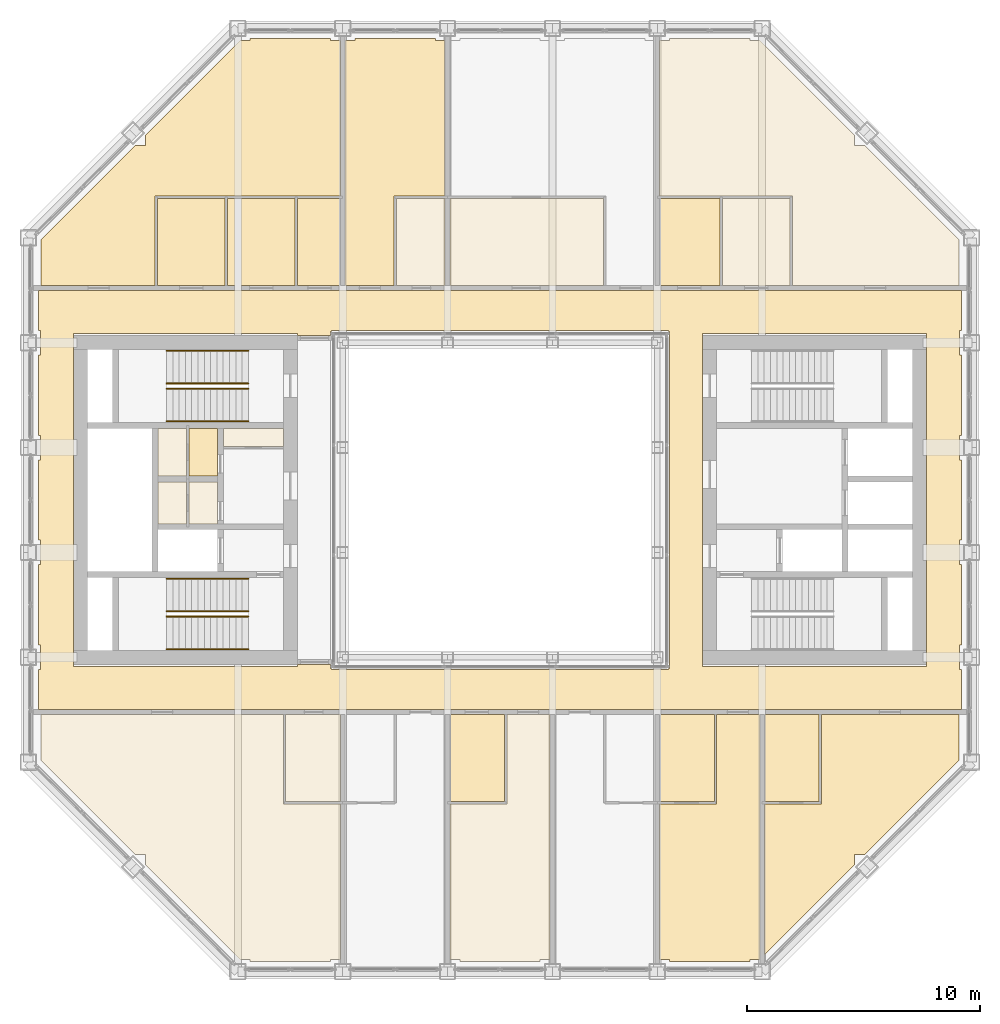
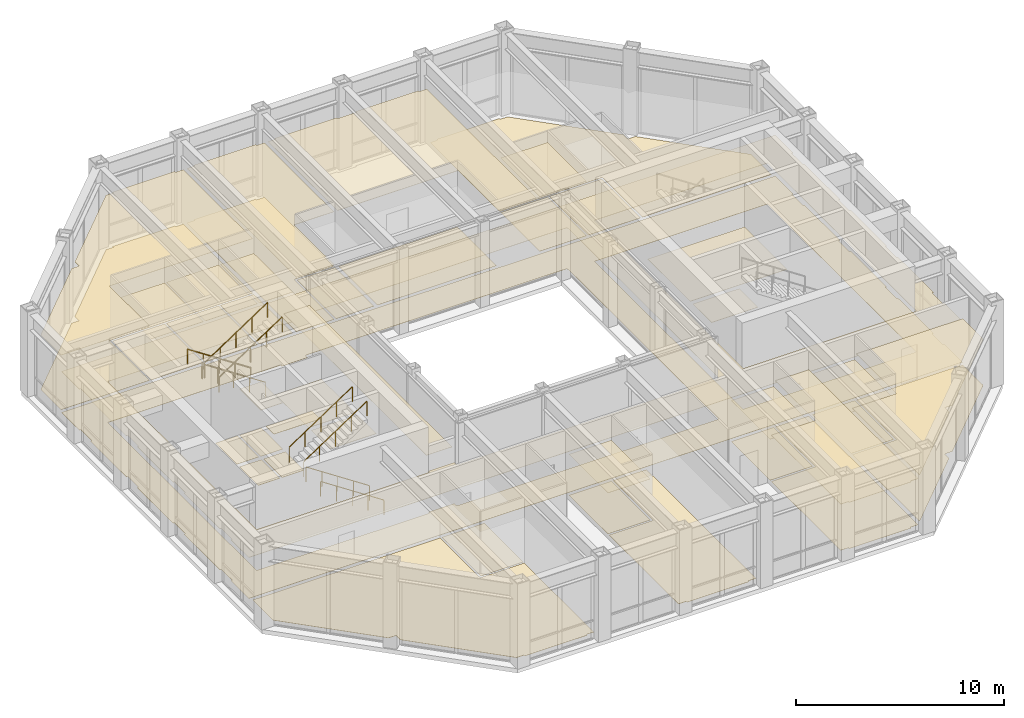
# One storey, part 14 of 15: 8 railings, 7 coverings.
"""IFC4 building model written with IfcOpenShell, lengths in metres."""

from ifc_helpers import new_model, si_unit, direction, frame, origin, origin_2d, place, context, subcontext, project, spatial, line, indexed_curve, circle, outline, extrude, material, layer, layer_set, type_object, element, save


model = new_model("IFC4")

# Units and contexts
model_context = context("Model", 3, precision=1e-05, world=origin(), true_north=direction((0.0, 1.0)))
body_context = subcontext(model_context, "Body", "Model", "MODEL_VIEW")
ifc_project = project(units=[si_unit("LENGTHUNIT", "METRE"), si_unit("AREAUNIT", "SQUARE_METRE"), si_unit("VOLUMEUNIT", "CUBIC_METRE"), si_unit("PLANEANGLEUNIT", "RADIAN"), si_unit("MASSUNIT", "GRAM", prefix="KILO")], contexts=[model_context])

# Site, building, storey
site_placement = place(None, origin())
site = spatial("IfcSite", under=ifc_project, at=site_placement, CompositionType="ELEMENT")
building_placement = place(site_placement, origin())
building = spatial("IfcBuilding", under=site, at=building_placement, Name="Msasa Ring Tower", CompositionType="ELEMENT")
storey_placement = place(building_placement, frame((0.0, 0.0, 195.800048828125)))
storey = spatial("IfcBuildingStorey", under=building, at=storey_placement, Name="L51", CompositionType="ELEMENT", Elevation=195.800048828125)

# Coverings
ifc_material_1 = material(Name="Gypsum plasterboard on a steel suspension grid", Category="steel")
ifc_layer_1 = layer(ifc_material_1, 0.014892578125)
ifc_layer_set_1 = layer_set([ifc_layer_1], Name="C1 SUSPENDED PLASTERBOARD CEILING 15")
covering_type_1 = type_object("IfcCoveringType", Name="C1 SUSPENDED PLASTERBOARD CEILING 15", PredefinedType="CEILING", material=ifc_layer_set_1)
covering_1_placement = place(storey_placement, frame((0.0, 0.0, 2.39990234375)))
element("IfcCovering", 1, at=covering_1_placement, inside=storey, type_object=covering_type_1, Name="Suspended Plasterboard Ceiling 15 circulation L51", PredefinedType="CEILING", context=body_context, shape_type="SweptSolid", body=[
    extrude(outline(indexed_curve([(19.799560546875, 7.275390625), (19.724609375, 7.275390625), (19.724609375, 6.224609375), (19.799560546875, 6.224609375), (19.799560546875, 2.775390625), (19.724609375, 2.775390625), (19.724609375, 1.724609375), (19.799560546875, 1.724609375), (19.799560546875, -1.724609375), (19.724609375, -1.724609375), (19.724609375, -2.775390625), (19.799560546875, -2.775390625), (19.799560546875, -6.224609375), (19.724609375, -6.224609375), (19.724609375, -7.275390625), (19.799560546875, -7.275390625), (19.799560546875, -8.99951171875), (-19.799560546875, -8.99951171875), (-19.799560546875, -7.275390625), (-19.724609375, -7.275390625), (-19.724609375, -6.224609375), (-19.799560546875, -6.224609375), (-19.799560546875, -2.775390625), (-19.724609375, -2.775390625), (-19.724609375, -1.724609375), (-19.799560546875, -1.724609375), (-19.799560546875, 1.724609375), (-19.724609375, 1.724609375), (-19.724609375, 2.775390625), (-19.799560546875, 2.775390625), (-19.799560546875, 6.224609375), (-19.724609375, 6.224609375), (-19.724609375, 7.275390625), (-19.799560546875, 7.275390625), (-19.799560546875, 8.99951171875), (19.799560546875, 8.99951171875)], segments=[line(1, 2, 3, 4, 5, 6, 7, 8, 9, 10, 11, 12, 13, 14, 15, 16, 17, 18, 19, 20, 21, 22, 23, 24, 25, 26, 27, 28, 29, 30, 31, 32, 33, 34, 35, 36, 1)], self_intersect=False), holes=[indexed_curve([(18.300537109375, -7.150390625), (18.300537109375, 7.150390625), (8.699462890625, 7.150390625), (8.699462890625, -7.150390625)], segments=[line(1, 2, 3, 4, 1)], self_intersect=False), indexed_curve([(-8.699462890625, 7.150390625), (-18.300537109375, 7.150390625), (-18.300537109375, -7.150390625), (-8.699462890625, -7.150390625), (-8.699462890625, -7.050537109375), (-7.280029296875, -7.050537109375), (-7.280517578125, -7.23046875), (-7.22998046875, -7.23046875), (-7.22998046875, -7.280029296875), (7.22998046875, -7.280029296875), (7.22998046875, -7.23046875), (7.280517578125, -7.23046875), (7.280517578125, 7.23046875), (7.22998046875, 7.23046875), (7.22998046875, 7.280029296875), (-7.22998046875, 7.280029296875), (-7.22998046875, 7.23046875), (-7.280517578125, 7.23046875), (-7.280029296875, 7.050537109375), (-8.699462890625, 7.050537109375)], segments=[line(1, 2, 3, 4, 5, 6, 7, 8, 9, 10, 11, 12, 13, 14, 15, 16, 17, 18, 19, 20, 1)], self_intersect=False)]), origin(), (0.0, 0.0, 1.0), 0.01513671875),
    extrude(outline(indexed_curve([(-9.300537109375, -3.074462890625), (-11.87451171875, -3.074462890625), (-11.87451171875, -1.275390625), (-9.300537109375, -1.275390625)], segments=[line(1, 2, 3, 4, 1)], self_intersect=False)), origin(), (0.0, 0.0, 1.0), 0.01513671875),
    extrude(outline(indexed_curve([(-11.87451171875, -1.0244140625), (-11.87451171875, 2.194580078125), (-9.300537109375, 2.194580078125), (-9.300537109375, -1.0244140625)], segments=[line(1, 2, 3, 4, 1)], self_intersect=False)), origin(), (0.0, 0.0, 1.0), 0.01513671875),
    extrude(outline(indexed_curve([(11.87451171875, -3.074462890625), (9.300537109375, -3.074462890625), (9.300537109375, -1.275390625), (11.87451171875, -1.275390625)], segments=[line(1, 2, 3, 4, 1)], self_intersect=False)), origin(), (0.0, 0.0, 1.0), 0.01513671875),
    extrude(outline(indexed_curve([(9.300537109375, -1.0244140625), (9.300537109375, 3.074462890625), (14.674560546875, 3.074462890625), (14.674560546875, -1.0244140625)], segments=[line(1, 2, 3, 4, 1)], self_intersect=False)), origin(), (0.0, 0.0, 1.0), 0.01513671875),
])
covering_2_placement = place(storey_placement, frame((0.0, 0.0, 3.199951171875)))
element("IfcCovering", 2, at=covering_2_placement, inside=storey, type_object=covering_type_1, Name="Suspended Plasterboard Ceiling 15 public rooms L51", PredefinedType="CEILING", context=body_context, shape_type="SweptSolid", body=[
    extrude(outline(indexed_curve([(-14.800537109375, 13.050537109375), (-14.800537109375, 9.200439453125), (-19.699462890625, 9.200439453125), (-19.699462890625, 11.163330078125), (-15.638427734375, 15.224609375), (-15.224609375, 15.224609375), (-15.224609375, 15.638427734375), (-11.138427734375, 19.724609375), (-10.724609375, 19.724609375), (-10.724609375, 19.799560546875), (-7.275390625, 19.799560546875), (-7.275390625, 19.724609375), (-6.8505859375, 19.724609375), (-6.8505859375, 13.050537109375)], segments=[line(1, 2, 3, 4, 5, 6, 7, 8, 9, 10, 11, 12, 13, 14, 1)], self_intersect=False)), origin(), (0.0, 0.0, 1.0), 0.014892578125),
    extrude(outline(indexed_curve([(-8.699462890625, -6.849609375), (-8.699462890625, 6.849609375), (-7.280029296875, 6.849609375), (-7.280029296875, -6.849609375)], segments=[line(1, 2, 3, 4, 1)], self_intersect=False)), origin(), (0.0, 0.0, 1.0), 0.014892578125),
    extrude(outline(indexed_curve([(-4.550537109375, 13.050537109375), (-4.550537109375, 9.200439453125), (-6.6494140625, 9.200439453125), (-6.6494140625, 19.724609375), (-6.224609375, 19.724609375), (-6.224609375, 19.799560546875), (-2.775390625, 19.799560546875), (-2.775390625, 19.724609375), (-2.3505859375, 19.724609375), (-2.3505859375, 13.050537109375)], segments=[line(1, 2, 3, 4, 5, 6, 7, 8, 9, 10, 1)], self_intersect=False)), origin(), (0.0, 0.0, 1.0), 0.014892578125),
    extrude(outline(indexed_curve([(-2.1494140625, 19.724609375), (-1.724609375, 19.724609375), (-1.724609375, 19.799560546875), (1.724609375, 19.799560546875), (1.724609375, 19.724609375), (2.775390625, 19.724609375), (2.775390625, 19.799560546875), (6.224609375, 19.799560546875), (6.224609375, 19.724609375), (6.6494140625, 19.724609375), (6.6494140625, 9.200439453125), (4.550537109375, 9.200439453125), (4.550537109375, 13.050537109375), (-2.1494140625, 13.050537109375)], segments=[line(1, 2, 3, 4, 5, 6, 7, 8, 9, 10, 11, 12, 13, 14, 1)], self_intersect=False)), origin(), (0.0, 0.0, 1.0), 0.014892578125),
    extrude(outline(indexed_curve([(9.449462890625, 9.200439453125), (6.8505859375, 9.200439453125), (6.8505859375, 12.949462890625), (9.449462890625, 12.949462890625)], segments=[line(1, 2, 3, 4, 1)], self_intersect=False)), origin(), (0.0, 0.0, 1.0), 0.014892578125),
])
ifc_material_2 = material(Name="Moisture-resistant gypsum plasterboard on a steel suspension grid", Category="steel")
ifc_layer_2 = layer(ifc_material_2, 0.014892578125)
ifc_layer_set_2 = layer_set([ifc_layer_2], Name="C2 MOISTURE-RESISTANT PLASTERBOARD CEILING 15")
covering_type_2 = type_object("IfcCoveringType", Name="C2 MOISTURE-RESISTANT PLASTERBOARD CEILING 15", PredefinedType="CEILING", material=ifc_layer_set_2)
covering_3_placement = place(storey_placement, frame((0.0, 0.0, 2.39990234375)))
element("IfcCovering", 3, at=covering_3_placement, inside=storey, type_object=covering_type_2, Name="Moisture-Resistant Plasterboard Ceiling 15 L51", PredefinedType="CEILING", context=body_context, shape_type="SweptSolid", body=[
    extrude(outline(indexed_curve([(-11.800537109375, 9.200439453125), (-14.699462890625, 9.200439453125), (-14.699462890625, 12.949462890625), (-11.800537109375, 12.949462890625)], segments=[line(1, 2, 3, 4, 1)], self_intersect=False)), origin(), (0.0, 0.0, 1.0), 0.01513671875),
    extrude(outline(indexed_curve([(-11.699462890625, 9.200439453125), (-11.699462890625, 12.949462890625), (-8.800537109375, 12.949462890625), (-8.800537109375, 9.200439453125)], segments=[line(1, 2, 3, 4, 1)], self_intersect=False)), origin(), (0.0, 0.0, 1.0), 0.01513671875),
    extrude(outline(indexed_curve([(-8.699462890625, 9.200439453125), (-8.699462890625, 12.949462890625), (-6.8505859375, 12.949462890625), (-6.8505859375, 9.200439453125)], segments=[line(1, 2, 3, 4, 1)], self_intersect=False)), origin(), (0.0, 0.0, 1.0), 0.01513671875),
    extrude(outline(indexed_curve([(0.199462890625, -12.949462890625), (-2.1494140625, -12.949462890625), (-2.1494140625, -9.200439453125), (0.199462890625, -9.200439453125)], segments=[line(1, 2, 3, 4, 1)], self_intersect=False)), origin(), (0.0, 0.0, 1.0), 0.01513671875),
    extrude(outline(indexed_curve([(6.8505859375, -12.949462890625), (6.8505859375, -9.200439453125), (9.199462890625, -9.200439453125), (9.199462890625, -12.949462890625)], segments=[line(1, 2, 3, 4, 1)], self_intersect=False)), origin(), (0.0, 0.0, 1.0), 0.01513671875),
    extrude(outline(indexed_curve([(11.3505859375, -12.949462890625), (11.3505859375, -9.200439453125), (13.699462890625, -9.200439453125), (13.699462890625, -12.949462890625)], segments=[line(1, 2, 3, 4, 1)], self_intersect=False)), origin(), (0.0, 0.0, 1.0), 0.01513671875),
])
ifc_material_3 = material(Name="Mineral fibre ceiling tiles on an exposed steel grid", Category="steel")
ifc_layer_3 = layer(ifc_material_3, 0.02001953125)
ifc_layer_set_3 = layer_set([ifc_layer_3], Name="C3 ACOUSTIC MINERAL FIBRE TILE CEILING 20")
covering_type_3 = type_object("IfcCoveringType", Name="C3 ACOUSTIC MINERAL FIBRE TILE CEILING 20", PredefinedType="CEILING", material=ifc_layer_set_3)
covering_4_placement = place(storey_placement, frame((0.0, 0.0, 2.699951171875)))
element("IfcCovering", 4, at=covering_4_placement, inside=storey, type_object=covering_type_3, Name="Acoustic Mineral Fibre Tile Ceiling 20 L51", PredefinedType="CEILING", context=body_context, shape_type="SweptSolid", body=[
    extrude(outline(indexed_curve([(-12.12548828125, 1.025390625), (-13.344482421875, 1.025390625), (-13.344482421875, 3.074462890625), (-12.12548828125, 3.074462890625)], segments=[line(1, 2, 3, 4, 1)], self_intersect=False)), origin(), (0.0, 0.0, 1.0), 0.02001953125),
    extrude(outline(indexed_curve([(7.275390625, -19.799560546875), (7.275390625, -19.724609375), (6.8505859375, -19.724609375), (6.8505859375, -13.050537109375), (9.300537109375, -13.050537109375), (9.300537109375, -9.200439453125), (11.1494140625, -9.200439453125), (11.1494140625, -19.71337890625), (11.138427734375, -19.724609375), (10.724609375, -19.724609375), (10.724609375, -19.799560546875)], segments=[line(1, 2, 3, 4, 5, 6, 7, 8, 9, 10, 11, 1)], self_intersect=False)), origin(), (0.0, 0.0, 1.0), 0.02001953125),
    extrude(outline(indexed_curve([(13.800537109375, -13.050537109375), (13.800537109375, -9.200439453125), (19.699462890625, -9.200439453125), (19.699462890625, -11.163330078125), (15.638427734375, -15.224609375), (15.224609375, -15.224609375), (15.224609375, -15.638427734375), (11.3505859375, -19.512451171875), (11.3505859375, -13.050537109375)], segments=[line(1, 2, 3, 4, 5, 6, 7, 8, 9, 1)], self_intersect=False)), origin(), (0.0, 0.0, 1.0), 0.02001953125),
])
ifc_material_4 = material(Name="Wool-blend carpet on felt underlay", Category="textile")
ifc_layer_4 = layer(ifc_material_4, 0.011962890625)
ifc_layer_set_4 = layer_set([ifc_layer_4], Name="F2 CARPET ON UNDERLAY 12")
covering_type_4 = type_object("IfcCoveringType", Name="F2 CARPET ON UNDERLAY 12", PredefinedType="FLOORING", material=ifc_layer_set_4)
covering_5_placement = place(storey_placement, origin())
element("IfcCovering", 5, at=covering_5_placement, inside=storey, type_object=covering_type_4, Name="Carpet On Underlay 12 L51", PredefinedType="FLOORING", context=body_context, shape_type="SweptSolid", body=[
    extrude(outline(indexed_curve([(-19.799560546875, -8.99951171875), (-19.799560546875, -7.275390625), (-19.724609375, -7.275390625), (-19.724609375, -6.224609375), (-19.799560546875, -6.224609375), (-19.799560546875, -2.775390625), (-19.724609375, -2.775390625), (-19.724609375, -1.724609375), (-19.799560546875, -1.724609375), (-19.799560546875, 1.724609375), (-19.724609375, 1.724609375), (-19.724609375, 2.775390625), (-19.799560546875, 2.775390625), (-19.799560546875, 6.224609375), (-19.724609375, 6.224609375), (-19.724609375, 7.275390625), (-19.799560546875, 7.275390625), (-19.799560546875, 8.99951171875), (19.799560546875, 8.99951171875), (19.799560546875, 7.275390625), (19.724609375, 7.275390625), (19.724609375, 6.224609375), (19.799560546875, 6.224609375), (19.799560546875, 2.775390625), (19.724609375, 2.775390625), (19.724609375, 1.724609375), (19.799560546875, 1.724609375), (19.799560546875, -1.724609375), (19.724609375, -1.724609375), (19.724609375, -2.775390625), (19.799560546875, -2.775390625), (19.799560546875, -6.224609375), (19.724609375, -6.224609375), (19.724609375, -7.275390625), (19.799560546875, -7.275390625), (19.799560546875, -8.99951171875)], segments=[line(1, 2, 3, 4, 5, 6, 7, 8, 9, 10, 11, 12, 13, 14, 15, 16, 17, 18, 19, 20, 21, 22, 23, 24, 25, 26, 27, 28, 29, 30, 31, 32, 33, 34, 35, 36, 1)], self_intersect=False), holes=[indexed_curve([(8.699462890625, -7.150390625), (18.300537109375, -7.150390625), (18.300537109375, 7.150390625), (8.699462890625, 7.150390625)], segments=[line(1, 2, 3, 4, 1)], self_intersect=False), indexed_curve([(-8.699462890625, 7.150390625), (-18.300537109375, 7.150390625), (-18.300537109375, -7.150390625), (-8.699462890625, -7.150390625), (-8.699462890625, -7.050537109375), (-7.280029296875, -7.050537109375), (-7.280517578125, -7.23046875), (-7.22998046875, -7.23046875), (-7.22998046875, -7.280029296875), (7.22998046875, -7.280029296875), (7.22998046875, -7.23046875), (7.280517578125, -7.23046875), (7.280517578125, 7.23046875), (7.22998046875, 7.23046875), (7.22998046875, 7.280029296875), (-7.22998046875, 7.280029296875), (-7.22998046875, 7.23046875), (-7.280517578125, 7.23046875), (-7.280029296875, 7.050537109375), (-8.699462890625, 7.050537109375)], segments=[line(1, 2, 3, 4, 5, 6, 7, 8, 9, 10, 11, 12, 13, 14, 15, 16, 17, 18, 19, 20, 1)], self_intersect=False)]), origin(), (0.0, 0.0, 1.0), 0.011962890625),
    extrude(outline(indexed_curve([(-10.724609375, -19.799560546875), (-10.724609375, -19.724609375), (-11.138427734375, -19.724609375), (-15.224609375, -15.638427734375), (-15.224609375, -15.224609375), (-15.638427734375, -15.224609375), (-19.699462890625, -11.163330078125), (-19.699462890625, -9.200439453125), (-9.300537109375, -9.200439453125), (-9.300537109375, -13.050537109375), (-6.8505859375, -13.050537109375), (-6.8505859375, -19.724609375), (-7.275390625, -19.724609375), (-7.275390625, -19.799560546875)], segments=[line(1, 2, 3, 4, 5, 6, 7, 8, 9, 10, 11, 12, 13, 14, 1)], self_intersect=False)), origin(), (0.0, 0.0, 1.0), 0.011962890625),
    extrude(outline(indexed_curve([(-14.800537109375, 9.200439453125), (-19.699462890625, 9.200439453125), (-19.699462890625, 11.163330078125), (-15.638427734375, 15.224609375), (-15.224609375, 15.224609375), (-15.224609375, 15.638427734375), (-11.138427734375, 19.724609375), (-10.724609375, 19.724609375), (-10.724609375, 19.799560546875), (-7.275390625, 19.799560546875), (-7.275390625, 19.724609375), (-6.8505859375, 19.724609375), (-6.8505859375, 13.050537109375), (-14.800537109375, 13.050537109375)], segments=[line(1, 2, 3, 4, 5, 6, 7, 8, 9, 10, 11, 12, 13, 14, 1)], self_intersect=False)), origin(), (0.0, 0.0, 1.0), 0.011962890625),
    extrude(outline(indexed_curve([(-13.45556640625, -1.0244140625), (-14.674560546875, -1.0244140625), (-14.674560546875, 0.7744140625), (-13.45556640625, 0.7744140625)], segments=[line(1, 2, 3, 4, 1)], self_intersect=False)), origin(), (0.0, 0.0, 1.0), 0.011962890625),
    extrude(outline(indexed_curve([(-13.45556640625, 3.074462890625), (-13.45556640625, 1.025390625), (-14.674560546875, 1.025390625), (-14.674560546875, 3.074462890625)], segments=[line(1, 2, 3, 4, 1)], self_intersect=False)), origin(), (0.0, 0.0, 1.0), 0.011962890625),
    extrude(outline(indexed_curve([(-13.344482421875, 0.7744140625), (-12.12548828125, 0.7744140625), (-12.12548828125, -1.0244140625), (-13.344482421875, -1.0244140625)], segments=[line(1, 2, 3, 4, 1)], self_intersect=False)), origin(), (0.0, 0.0, 1.0), 0.011962890625),
    extrude(outline(indexed_curve([(-9.300537109375, 3.074462890625), (-9.300537109375, 2.305419921875), (-11.87451171875, 2.305419921875), (-11.87451171875, 3.074462890625)], segments=[line(1, 2, 3, 4, 1)], self_intersect=False)), origin(), (0.0, 0.0, 1.0), 0.011962890625),
    extrude(outline(indexed_curve([(-6.8505859375, -9.200439453125), (-6.8505859375, -12.949462890625), (-9.199462890625, -12.949462890625), (-9.199462890625, -9.200439453125)], segments=[line(1, 2, 3, 4, 1)], self_intersect=False)), origin(), (0.0, 0.0, 1.0), 0.011962890625),
    extrude(outline(indexed_curve([(-2.775390625, 19.799560546875), (-2.775390625, 19.724609375), (-2.3505859375, 19.724609375), (-2.3505859375, 13.050537109375), (-4.550537109375, 13.050537109375), (-4.550537109375, 9.200439453125), (-6.6494140625, 9.200439453125), (-6.6494140625, 19.724609375), (-6.224609375, 19.724609375), (-6.224609375, 19.799560546875)], segments=[line(1, 2, 3, 4, 5, 6, 7, 8, 9, 10, 1)], self_intersect=False)), origin(), (0.0, 0.0, 1.0), 0.011962890625),
    extrude(outline(indexed_curve([(-2.3505859375, 12.949462890625), (-2.3505859375, 9.200439453125), (-4.449462890625, 9.200439453125), (-4.449462890625, 12.949462890625)], segments=[line(1, 2, 3, 4, 1)], self_intersect=False)), origin(), (0.0, 0.0, 1.0), 0.011962890625),
    extrude(outline(indexed_curve([(2.1494140625, -19.724609375), (1.724609375, -19.724609375), (1.724609375, -19.799560546875), (-1.724609375, -19.799560546875), (-1.724609375, -19.724609375), (-2.1494140625, -19.724609375), (-2.1494140625, -13.050537109375), (0.300537109375, -13.050537109375), (0.300537109375, -9.200439453125), (2.1494140625, -9.200439453125)], segments=[line(1, 2, 3, 4, 5, 6, 7, 8, 9, 10, 1)], self_intersect=False)), origin(), (0.0, 0.0, 1.0), 0.011962890625),
    extrude(outline(indexed_curve([(10.724609375, 19.799560546875), (10.724609375, 19.724609375), (11.138427734375, 19.724609375), (15.224609375, 15.638427734375), (15.224609375, 15.224609375), (15.638427734375, 15.224609375), (19.699462890625, 11.163330078125), (19.699462890625, 9.200439453125), (12.550537109375, 9.200439453125), (12.550537109375, 13.050537109375), (6.8505859375, 13.050537109375), (6.8505859375, 19.724609375), (7.275390625, 19.724609375), (7.275390625, 19.799560546875)], segments=[line(1, 2, 3, 4, 5, 6, 7, 8, 9, 10, 11, 12, 13, 14, 1)], self_intersect=False)), origin(), (0.0, 0.0, 1.0), 0.011962890625),
    extrude(outline(indexed_curve([(12.449462890625, 12.949462890625), (12.449462890625, 9.200439453125), (9.550537109375, 9.200439453125), (9.550537109375, 12.949462890625)], segments=[line(1, 2, 3, 4, 1)], self_intersect=False)), origin(), (0.0, 0.0, 1.0), 0.011962890625),
])
ifc_material_5 = material(Name="Porcelain floor tiles in adhesive", Category="ceramic")
ifc_layer_5 = layer(ifc_material_5, 0.010009765625)
ifc_layer_set_5 = layer_set([ifc_layer_5], Name="F4 PORCELAIN TILE ON ADHESIVE 10")
covering_type_5 = type_object("IfcCoveringType", Name="F4 PORCELAIN TILE ON ADHESIVE 10", PredefinedType="FLOORING", material=ifc_layer_set_5)
covering_6_placement = place(storey_placement, origin())
element("IfcCovering", 6, at=covering_6_placement, inside=storey, type_object=covering_type_5, Name="Porcelain Tile On Adhesive 10 L51", PredefinedType="FLOORING", context=body_context, shape_type="SweptSolid", body=[
    extrude(outline(indexed_curve([(-14.699462890625, 12.949462890625), (-11.800537109375, 12.949462890625), (-11.800537109375, 9.200439453125), (-14.699462890625, 9.200439453125)], segments=[line(1, 2, 3, 4, 1)], self_intersect=False)), origin(), (0.0, 0.0, 1.0), 0.010009765625),
    extrude(outline(indexed_curve([(-11.699462890625, 12.949462890625), (-8.800537109375, 12.949462890625), (-8.800537109375, 9.200439453125), (-11.699462890625, 9.200439453125)], segments=[line(1, 2, 3, 4, 1)], self_intersect=False)), origin(), (0.0, 0.0, 1.0), 0.010009765625),
    extrude(outline(indexed_curve([(-8.699462890625, 12.949462890625), (-6.8505859375, 12.949462890625), (-6.8505859375, 9.200439453125), (-8.699462890625, 9.200439453125)], segments=[line(1, 2, 3, 4, 1)], self_intersect=False)), origin(), (0.0, 0.0, 1.0), 0.010009765625),
    extrude(outline(indexed_curve([(-2.1494140625, -12.949462890625), (-2.1494140625, -9.200439453125), (0.199462890625, -9.200439453125), (0.199462890625, -12.949462890625)], segments=[line(1, 2, 3, 4, 1)], self_intersect=False)), origin(), (0.0, 0.0, 1.0), 0.010009765625),
    extrude(outline(indexed_curve([(9.199462890625, -9.200439453125), (9.199462890625, -12.949462890625), (6.8505859375, -12.949462890625), (6.8505859375, -9.200439453125)], segments=[line(1, 2, 3, 4, 1)], self_intersect=False)), origin(), (0.0, 0.0, 1.0), 0.010009765625),
    extrude(outline(indexed_curve([(9.449462890625, 12.949462890625), (9.449462890625, 9.200439453125), (6.8505859375, 9.200439453125), (6.8505859375, 12.949462890625)], segments=[line(1, 2, 3, 4, 1)], self_intersect=False)), origin(), (0.0, 0.0, 1.0), 0.010009765625),
    extrude(outline(indexed_curve([(11.3505859375, -9.200439453125), (13.699462890625, -9.200439453125), (13.699462890625, -12.949462890625), (11.3505859375, -12.949462890625)], segments=[line(1, 2, 3, 4, 1)], self_intersect=False)), origin(), (0.0, 0.0, 1.0), 0.010009765625),
])
ifc_material_6 = material(Name="Welded vinyl safety sheet flooring", Category="vinyl")
ifc_layer_6 = layer(ifc_material_6, 0.0029296875)
ifc_layer_set_6 = layer_set([ifc_layer_6], Name="F5 RESILIENT SHEET FLOORING 3")
covering_type_6 = type_object("IfcCoveringType", Name="F5 RESILIENT SHEET FLOORING 3", PredefinedType="FLOORING", material=ifc_layer_set_6)
covering_7_placement = place(storey_placement, origin())
element("IfcCovering", 7, at=covering_7_placement, inside=storey, type_object=covering_type_6, Name="Resilient Sheet Flooring 3 L51", PredefinedType="FLOORING", context=body_context, shape_type="SweptSolid", body=[
    extrude(outline(indexed_curve([(-13.344482421875, 3.074462890625), (-12.12548828125, 3.074462890625), (-12.12548828125, 1.025390625), (-13.344482421875, 1.025390625)], segments=[line(1, 2, 3, 4, 1)], self_intersect=False)), origin(), (0.0, 0.0, 1.0), 0.0029296875),
    extrude(outline(indexed_curve([(-2.1494140625, 9.200439453125), (-2.1494140625, 12.949462890625), (4.449462890625, 12.949462890625), (4.449462890625, 9.200439453125)], segments=[line(1, 2, 3, 4, 1)], self_intersect=False)), origin(), (0.0, 0.0, 1.0), 0.0029296875),
    extrude(outline(indexed_curve([(9.300537109375, -13.050537109375), (9.300537109375, -9.200439453125), (11.1494140625, -9.200439453125), (11.1494140625, -19.71337890625), (11.138427734375, -19.724609375), (10.724609375, -19.724609375), (10.724609375, -19.799560546875), (7.275390625, -19.799560546875), (7.275390625, -19.724609375), (6.8505859375, -19.724609375), (6.8505859375, -13.050537109375)], segments=[line(1, 2, 3, 4, 5, 6, 7, 8, 9, 10, 11, 1)], self_intersect=False)), origin(), (0.0, 0.0, 1.0), 0.0029296875),
    extrude(outline(indexed_curve([(13.800537109375, -9.200439453125), (19.699462890625, -9.200439453125), (19.699462890625, -11.163330078125), (15.638427734375, -15.224609375), (15.224609375, -15.224609375), (15.224609375, -15.638427734375), (11.3505859375, -19.512451171875), (11.3505859375, -13.050537109375), (13.800537109375, -13.050537109375)], segments=[line(1, 2, 3, 4, 5, 6, 7, 8, 9, 1)], self_intersect=False)), origin(), (0.0, 0.0, 1.0), 0.0029296875),
])

# Railings
ifc_material_7 = material(Name="Stainless steel", Category="steel")
railing_type = type_object("IfcRailingType", Name="HR1 HANDRAIL 900", PredefinedType="HANDRAIL", material=ifc_material_7)
for number, where, name in (
    (8, (-10.800048828125, -6.39990234375, 0.178466796875), "Handrail stair SWA L51 1"),
    (9, (-10.800048828125, -5.0, 0.178466796875), "Handrail stair SWA L51 2"),
):
    element("IfcRailing", number, at=place(storey_placement, frame(where)), inside=storey, type_object=railing_type, Name=name, PredefinedType="HANDRAIL", context=body_context, shape_type="SweptSolid", body=[
        extrude(circle(Radius=0.02392578125, at=origin_2d()), frame((0.0, 0.0, 0.8759765625), z_axis=(-0.834070780157, 0.0, 0.551657442339), x_axis=(0.0, -1.0, 0.0)), (0.0, 0.0, 1.0), 4.208251953125),
        extrude(circle(Radius=0.02099609375, at=origin_2d()), origin(), (0.0, 0.0, 1.0), 0.851806640625),
        extrude(circle(Radius=0.02099609375, at=origin_2d()), frame((-0.87744140625, 0.0, 0.580322265625)), (0.0, 0.0, 1.0), 0.851806640625),
        extrude(circle(Radius=0.02099609375, at=origin_2d()), frame((-1.7548828125, 0.0, 1.16064453125)), (0.0, 0.0, 1.0), 0.851806640625),
        extrude(circle(Radius=0.02099609375, at=origin_2d()), frame((-2.632568359375, 0.0, 1.7412109375)), (0.0, 0.0, 1.0), 0.851806640625),
        extrude(circle(Radius=0.02099609375, at=origin_2d()), frame((-3.510009765625, 0.0, 2.321533203125)), (0.0, 0.0, 1.0), 0.851806640625),
    ])
for number, where, name in (
    (10, (-14.31005859375, -4.77490234375, 2.678466796875), "Handrail stair SWA L51 3"),
    (11, (-14.31005859375, -3.375, 2.678466796875), "Handrail stair SWA L51 4"),
):
    element("IfcRailing", number, at=place(storey_placement, frame(where)), inside=storey, type_object=railing_type, Name=name, PredefinedType="HANDRAIL", context=body_context, shape_type="SweptSolid", body=[
        extrude(circle(Radius=0.02392578125, at=origin_2d()), frame((0.0, 0.0, 0.8759765625), z_axis=(0.834070780157, 0.0, 0.551657442339), x_axis=(0.0, 1.0, 0.0)), (0.0, 0.0, 1.0), 4.208251953125),
        extrude(circle(Radius=0.02099609375, at=origin_2d()), origin(), (0.0, 0.0, 1.0), 0.851806640625),
        extrude(circle(Radius=0.02099609375, at=origin_2d()), frame((0.87744140625, 0.0, 0.580322265625)), (0.0, 0.0, 1.0), 0.851806640625),
        extrude(circle(Radius=0.02099609375, at=origin_2d()), frame((1.7548828125, 0.0, 1.16064453125)), (0.0, 0.0, 1.0), 0.851806640625),
        extrude(circle(Radius=0.02099609375, at=origin_2d()), frame((2.632568359375, 0.0, 1.7412109375)), (0.0, 0.0, 1.0), 0.851806640625),
        extrude(circle(Radius=0.02099609375, at=origin_2d()), frame((3.510009765625, 0.0, 2.321533203125)), (0.0, 0.0, 1.0), 0.851806640625),
    ])
for number, where, name in (
    (12, (-10.800048828125, 5.0, 0.178466796875), "Handrail stair SWB L51 1"),
    (13, (-10.800048828125, 6.39990234375, 0.178466796875), "Handrail stair SWB L51 2"),
):
    element("IfcRailing", number, at=place(storey_placement, frame(where)), inside=storey, type_object=railing_type, Name=name, PredefinedType="HANDRAIL", context=body_context, shape_type="SweptSolid", body=[
        extrude(circle(Radius=0.02392578125, at=origin_2d()), frame((0.0, 0.0, 0.8759765625), z_axis=(-0.834070780157, 0.0, 0.551657442339), x_axis=(0.0, -1.0, 0.0)), (0.0, 0.0, 1.0), 4.208251953125),
        extrude(circle(Radius=0.02099609375, at=origin_2d()), origin(), (0.0, 0.0, 1.0), 0.851806640625),
        extrude(circle(Radius=0.02099609375, at=origin_2d()), frame((-0.87744140625, 0.0, 0.580322265625)), (0.0, 0.0, 1.0), 0.851806640625),
        extrude(circle(Radius=0.02099609375, at=origin_2d()), frame((-1.7548828125, 0.0, 1.16064453125)), (0.0, 0.0, 1.0), 0.851806640625),
        extrude(circle(Radius=0.02099609375, at=origin_2d()), frame((-2.632568359375, 0.0, 1.7412109375)), (0.0, 0.0, 1.0), 0.851806640625),
        extrude(circle(Radius=0.02099609375, at=origin_2d()), frame((-3.510009765625, 0.0, 2.321533203125)), (0.0, 0.0, 1.0), 0.851806640625),
    ])
for number, where, name in (
    (14, (-14.31005859375, 3.375, 2.678466796875), "Handrail stair SWB L51 3"),
    (15, (-14.31005859375, 4.77490234375, 2.678466796875), "Handrail stair SWB L51 4"),
):
    element("IfcRailing", number, at=place(storey_placement, frame(where)), inside=storey, type_object=railing_type, Name=name, PredefinedType="HANDRAIL", context=body_context, shape_type="SweptSolid", body=[
        extrude(circle(Radius=0.02392578125, at=origin_2d()), frame((0.0, 0.0, 0.8759765625), z_axis=(0.834070780157, 0.0, 0.551657442339), x_axis=(0.0, 1.0, 0.0)), (0.0, 0.0, 1.0), 4.208251953125),
        extrude(circle(Radius=0.02099609375, at=origin_2d()), origin(), (0.0, 0.0, 1.0), 0.851806640625),
        extrude(circle(Radius=0.02099609375, at=origin_2d()), frame((0.87744140625, 0.0, 0.580322265625)), (0.0, 0.0, 1.0), 0.851806640625),
        extrude(circle(Radius=0.02099609375, at=origin_2d()), frame((1.7548828125, 0.0, 1.16064453125)), (0.0, 0.0, 1.0), 0.851806640625),
        extrude(circle(Radius=0.02099609375, at=origin_2d()), frame((2.632568359375, 0.0, 1.7412109375)), (0.0, 0.0, 1.0), 0.851806640625),
        extrude(circle(Radius=0.02099609375, at=origin_2d()), frame((3.510009765625, 0.0, 2.321533203125)), (0.0, 0.0, 1.0), 0.851806640625),
    ])

save(model, "model.ifc")
